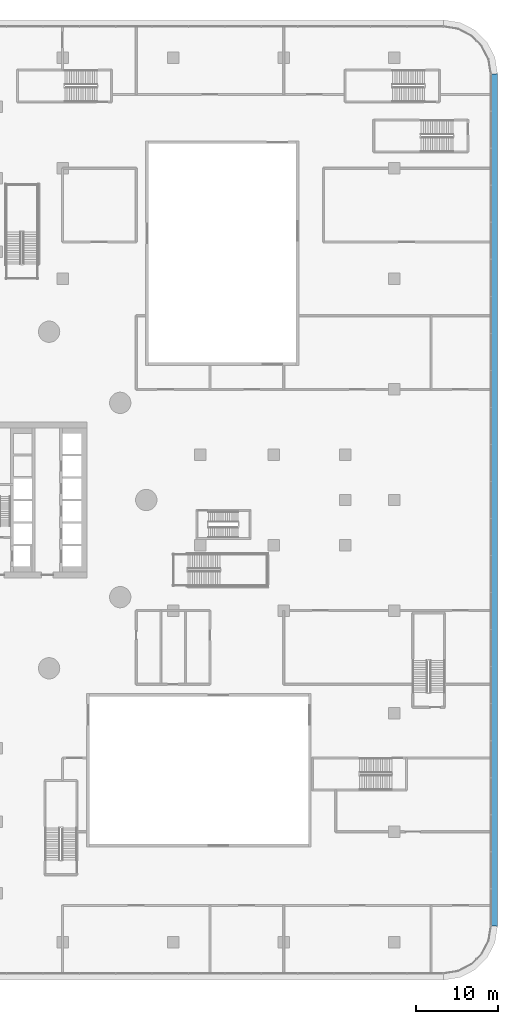
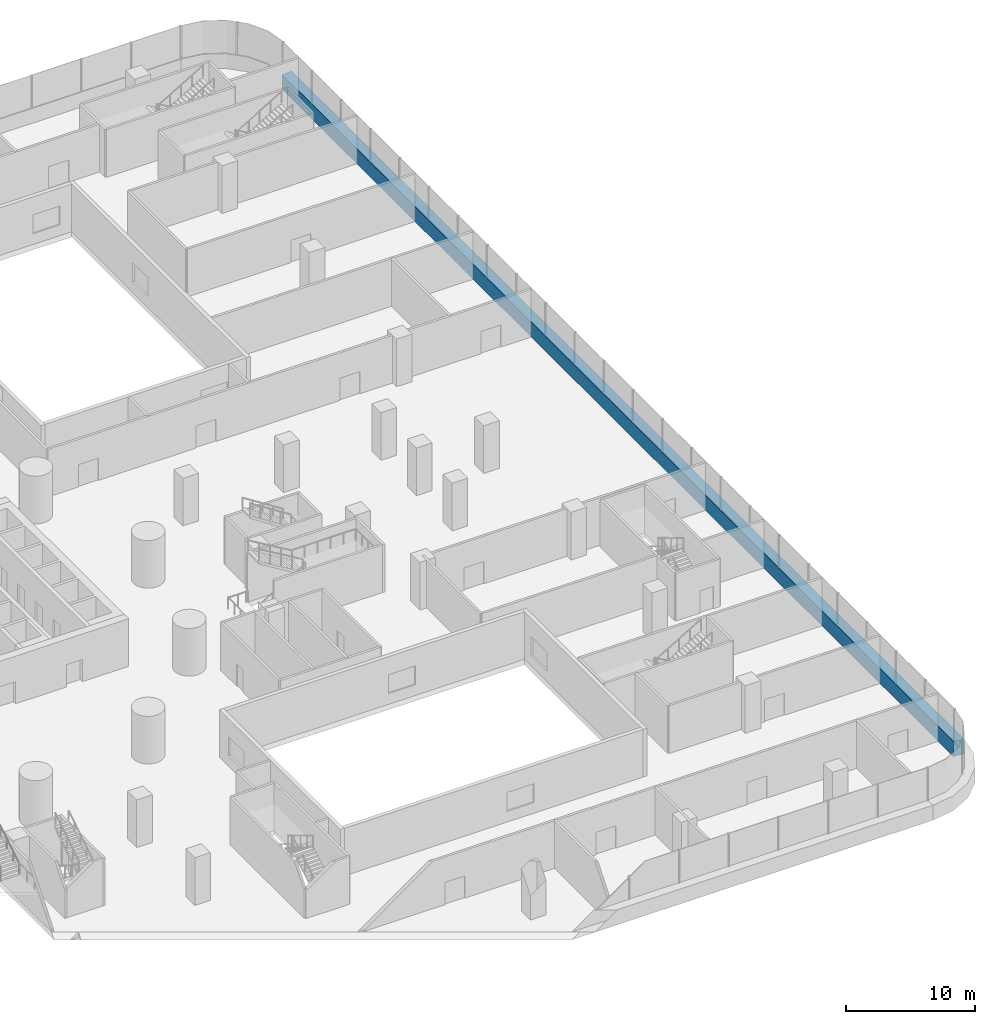
# One storey, part 18 of 44: 1 member, 1 element without a shape of its own.
"""IFC4 building model written with IfcOpenShell, lengths in metres."""

import ifcopenshell
import ifcopenshell.guid

model = None  # the IFC model being written
_history = None  # IfcOwnerHistory: only IFC2X3 demands one
_inside = {}  # id of a spatial element -> (the spatial element, [elements in it])
_under = {}  # id of a project, library or spatial element -> (it, [spatial elements below it])
_declared = {}  # id of a project -> (the project, [libraries it declares])
_typed = {}  # id of a type object -> (the type object, [elements of that type])
_made_of = {}  # id of a material, layer set ... -> (it, [elements and type objects made of it])


def new_model(schema):
    """Start an empty IFC model of exactly this schema.

    Asked for "IFC4X3", IfcOpenShell would pick the latest addendum, in which some entities
    have other attributes; the version numbers below select the first issue.
    IFC2X3 requires an IfcOwnerHistory on every rooted entity: one is made here for all.
    """
    global model, _history
    if schema == "IFC4X3":
        model = ifcopenshell.file(schema_version=(4, 3, 0, 0))
    else:
        model = ifcopenshell.file(schema=schema)
    _inside.clear()
    _under.clear()
    _declared.clear()
    _typed.clear()
    _made_of.clear()
    _history = None
    if model.schema == "IFC2X3":
        org = make("IfcOrganization", Name="unknown")
        user = make(
            "IfcPersonAndOrganization",
            ThePerson=make("IfcPerson", FamilyName="unknown"),
            TheOrganization=org,
        )
        app = make(
            "IfcApplication",
            ApplicationDeveloper=org,
            Version="unknown",
            ApplicationFullName="unknown",
            ApplicationIdentifier="unknown",
        )
        _history = make(
            "IfcOwnerHistory",
            OwningUser=user,
            OwningApplication=app,
            ChangeAction="ADDED",
            CreationDate=0,
        )
    return model


def make(cls, **values):
    """One entity of the class cls with the attributes given. An attribute that is None is left unset."""
    return model.create_entity(
        cls, **{name: value for name, value in values.items() if value is not None}
    )


def rooted(cls, **values):
    """An entity with a GlobalId (a new one), such as an element, a storey or a relation."""
    return make(cls, GlobalId=ifcopenshell.guid.new(), OwnerHistory=_history, **values)


def si_unit(unit_type, name, prefix=None):
    """IfcSIUnit, for example si_unit("LENGTHUNIT", "METRE", prefix="MILLI")."""
    return make("IfcSIUnit", UnitType=unit_type, Prefix=prefix, Name=name)


def assignment(units):
    """IfcUnitAssignment: the units of a project."""
    return None if units is None else make("IfcUnitAssignment", Units=units)


def point(xyz):
    """IfcCartesianPoint."""
    return None if xyz is None else make("IfcCartesianPoint", Coordinates=xyz)


def direction(xyz):
    """IfcDirection."""
    return None if xyz is None else make("IfcDirection", DirectionRatios=xyz)


def frame(location, z_axis=None, x_axis=None):
    """IfcAxis2Placement3D, a coordinate frame: its origin and axes. An axis left out is left unset."""
    return make(
        "IfcAxis2Placement3D",
        Location=point(location),
        Axis=direction(z_axis),
        RefDirection=direction(x_axis),
    )


def origin():
    """The frame at (0, 0, 0) with its axes left unset."""
    return frame((0.0, 0.0, 0.0))


def place(relative_to, where):
    """IfcLocalPlacement: puts the frame where relative to a parent placement (None: the world)."""
    return make(
        "IfcLocalPlacement", PlacementRelTo=relative_to, RelativePlacement=where
    )


def context(
    kind, dimensions, precision=None, world=None, true_north=None, identifier=None
):
    """IfcGeometricRepresentationContext, for example the 3D "Model" context."""
    return make(
        "IfcGeometricRepresentationContext",
        ContextIdentifier=identifier,
        ContextType=kind,
        CoordinateSpaceDimension=dimensions,
        Precision=precision,
        WorldCoordinateSystem=world,
        TrueNorth=true_north,
    )


def subcontext(parent, identifier, kind, view, scale=None):
    """IfcGeometricRepresentationSubContext, for example "Body" below "Model"."""
    return make(
        "IfcGeometricRepresentationSubContext",
        ContextIdentifier=identifier,
        ContextType=kind,
        ParentContext=parent,
        TargetScale=scale,
        TargetView=view,
    )


def project(units=None, contexts=None):
    """IfcProject with its units and contexts."""
    return rooted(
        "IfcProject",
        Name="project",
        RepresentationContexts=contexts,
        UnitsInContext=assignment(units),
    )


def spatial(cls, under=None, at=None, **own):
    """A site, building, storey or space (cls), placed at a placement, below another one or the project."""
    s = rooted(cls, ObjectPlacement=at, **own)
    if under is not None:
        _under.setdefault(under.id(), (under, []))[1].append(s)
    return s


def polyline(points):
    """IfcPolyline through the points."""
    return make("IfcPolyline", Points=[point(p) for p in points])


def outline(outer, holes=None, kind="AREA"):
    """IfcArbitraryClosedProfileDef: a profile drawn as a closed curve; with holes, ...WithVoids."""
    if holes is None:
        return make("IfcArbitraryClosedProfileDef", ProfileType=kind, OuterCurve=outer)
    return make(
        "IfcArbitraryProfileDefWithVoids",
        ProfileType=kind,
        OuterCurve=outer,
        InnerCurves=holes,
    )


def extrude(swept, where, along, depth):
    """IfcExtrudedAreaSolid: the profile swept, set in the frame where, extruded along a direction by depth."""
    return make(
        "IfcExtrudedAreaSolid",
        SweptArea=swept,
        Position=where,
        ExtrudedDirection=direction(along),
        Depth=depth,
    )


def shape(context_of_items, identifier, shape_type, items):
    """IfcShapeRepresentation: the items that make up one representation, for example the "Body"."""
    return make(
        "IfcShapeRepresentation",
        ContextOfItems=context_of_items,
        RepresentationIdentifier=identifier,
        RepresentationType=shape_type,
        Items=items,
    )


def material(Name=None, Category=None):
    """IfcMaterial."""
    return make("IfcMaterial", Name=Name, Category=Category)


def layer(
    of_material, thickness, ventilated=None, Name=None, Category=None, Priority=None
):
    """IfcMaterialLayer: one layer of a wall or slab, of a material (None: an air gap)."""
    return make(
        "IfcMaterialLayer",
        Material=of_material,
        LayerThickness=thickness,
        IsVentilated=ventilated,
        Name=Name,
        Category=Category,
        Priority=Priority,
    )


def layer_set(layers, Name=None):
    """IfcMaterialLayerSet."""
    return make("IfcMaterialLayerSet", MaterialLayers=layers, LayerSetName=Name)


def made_of(thing, what):
    """Note that an element or type object is made of a material, layer set ...; save() writes the relation."""
    if what is not None:
        _made_of.setdefault(what.id(), (what, []))[1].append(thing)
    return thing


def type_object(cls, material=None, **own):
    """A type object (cls), such as IfcWallType, which elements share."""
    return made_of(rooted(cls, **own), material)


def element(
    cls,
    number,
    at=None,
    inside=None,
    cuts=None,
    type_object=None,
    material=None,
    context=None,
    identifier="Body",
    shape_type=None,
    held_by="IfcProductDefinitionShape",
    body=None,
    shapes=None,
    **own,
):
    """One element of the class cls, such as IfcWall. Its Tag is "e" and its number.

    at: its placement. inside: the storey or other place that contains it. cuts: it is an
    opening in that element (IfcRelVoidsElement). A single representation is given by context,
    identifier, shape_type and body (its items); several are given by shapes. held_by: the class
    of the entity that holds the representations. save() writes the other relations.
    """
    e = rooted(cls, Tag="e%d" % number, ObjectPlacement=at, **own)
    if body is not None:
        shapes = [shape(context, identifier, shape_type, body)]
    if shapes is not None:
        e.Representation = make(held_by, Representations=shapes)
    if inside is not None:
        _inside.setdefault(inside.id(), (inside, []))[1].append(e)
    if cuts is not None:
        rooted(
            "IfcRelVoidsElement", RelatingBuildingElement=cuts, RelatedOpeningElement=e
        )
    if type_object is not None:
        _typed.setdefault(type_object.id(), (type_object, []))[1].append(e)
    return made_of(e, material)


def aggregate(whole, parts):
    """IfcRelAggregates: a whole, such as a stair, and the parts it consists of."""
    return rooted("IfcRelAggregates", RelatingObject=whole, RelatedObjects=parts)


def save(model, path):
    """Write the relations noted so far, then the file.

    IfcRelAggregates (storeys below a building ...), IfcRelContainedInSpatialStructure (elements
    in a storey), IfcRelDefinesByType, IfcRelAssociatesMaterial and IfcRelDeclares: one each for
    every whole, place, type object, material and project.
    """
    for whole, parts in _under.values():
        aggregate(whole, parts)
    for where, things in _inside.values():
        rooted(
            "IfcRelContainedInSpatialStructure",
            RelatedElements=things,
            RelatingStructure=where,
        )
    for kind, things in _typed.values():
        rooted("IfcRelDefinesByType", RelatedObjects=things, RelatingType=kind)
    for what, things in _made_of.values():
        rooted("IfcRelAssociatesMaterial", RelatedObjects=things, RelatingMaterial=what)
    for by, libraries in _declared.values():
        rooted("IfcRelDeclares", RelatingContext=by, RelatedDefinitions=libraries)
    model.write(path)


model = new_model("IFC4")

# Units and contexts
model_context = context("Model", 3, precision=1e-05, world=origin(), true_north=direction((0.0, 1.0)))
body_context = subcontext(model_context, "Body", "Model", "MODEL_VIEW")
ifc_project = project(units=[si_unit("LENGTHUNIT", "METRE"), si_unit("AREAUNIT", "SQUARE_METRE"), si_unit("VOLUMEUNIT", "CUBIC_METRE"), si_unit("PLANEANGLEUNIT", "RADIAN"), si_unit("MASSUNIT", "GRAM", prefix="KILO")], contexts=[model_context])

# Site, building, storey
site_placement = place(None, origin())
site = spatial("IfcSite", under=ifc_project, at=site_placement, CompositionType="ELEMENT")
building_placement = place(site_placement, origin())
building = spatial("IfcBuilding", under=site, at=building_placement, Name="Tamarind Cross Interchange Tower", CompositionType="ELEMENT")
storey_placement = place(building_placement, frame((0.0, 0.0, 15.0)))
storey = spatial("IfcBuildingStorey", under=building, at=storey_placement, Name="L02", CompositionType="ELEMENT", Elevation=15.0)

# Curtain wall, member
ifc_material_1 = material(Name="Aluminium 6063-T6", Category="aluminium")
ifc_layer = layer(ifc_material_1, 0.199951171875)
ifc_layer_set = layer_set([ifc_layer], Name="Aluminium 6063-T6")
curtain_wall_type = type_object("IfcCurtainWallType", Name="Podium shopfront and station curtain wall", PredefinedType="NOTDEFINED", material=ifc_layer_set)
curtain_wall_placement = place(storey_placement, origin())
curtain_wall = element("IfcCurtainWall", 1, at=curtain_wall_placement, inside=storey, type_object=curtain_wall_type, Name="CWS-L02-00", PredefinedType="NOTDEFINED")
ifc_material_2 = material(Name="Aluminium and insulated spandrel panel", Category="aluminium")
member_type = type_object("IfcMemberType", Name="Floor-edge blade transom", PredefinedType="USERDEFINED", material=ifc_material_2)
member_placement = place(storey_placement, origin())
member = element("IfcMember", 2, at=member_placement, type_object=member_type, Name="CWT-L02-00", ObjectType="TRANSOM", PredefinedType="USERDEFINED", context=body_context, shape_type="SweptSolid", body=[
    extrude(outline(polyline([(65.699951171875, -51.976318359375), (65.699951171875, 51.976318359375), (66.60009765625, 52.047119140625), (66.60009765625, -52.047119140625), (65.699951171875, -51.976318359375)])), origin(), (0.0, 0.0, 1.0), 1.39990234375),
])
aggregate(curtain_wall, [member])

save(model, "model.ifc")
